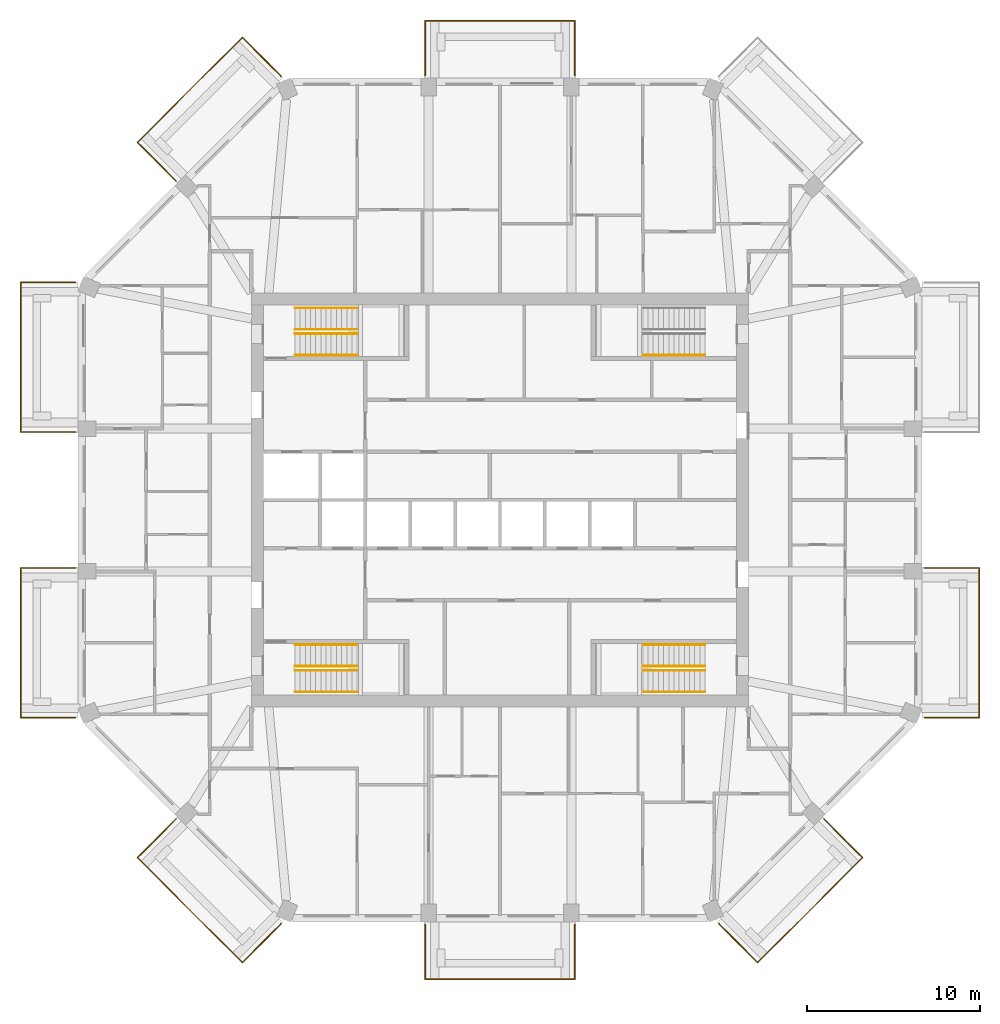
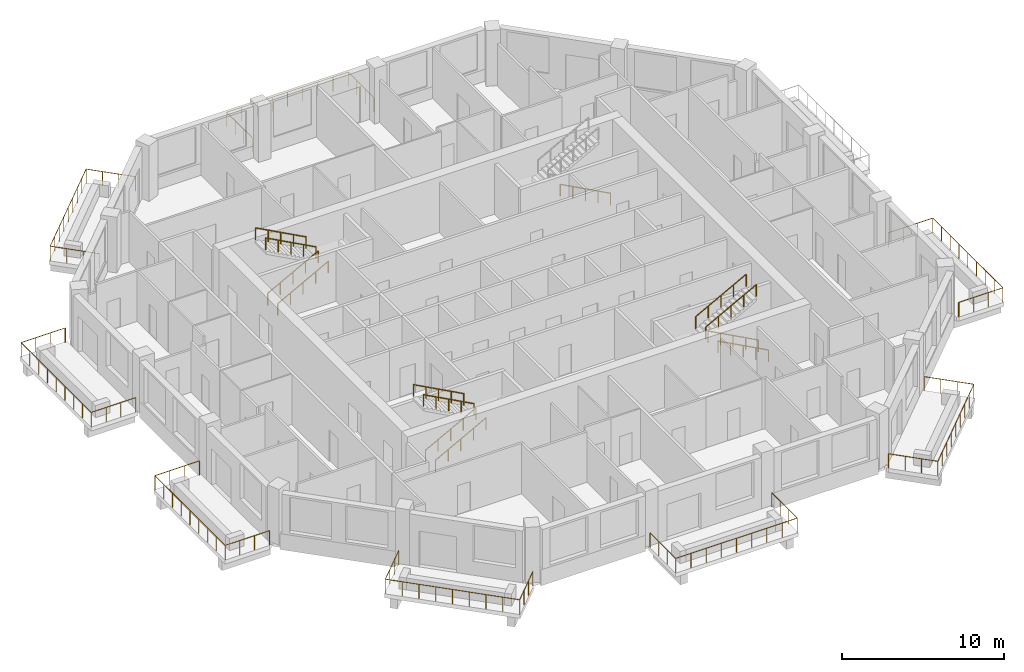
# One storey, part 11 of 12: 21 railings.
"""IFC4 building model written with IfcOpenShell, lengths in metres."""

from ifc_helpers import new_model, si_unit, direction, frame, origin, origin_2d, place, context, subcontext, project, spatial, circle, extrude, material, constituent, constituent_set, type_object, element, save


model = new_model("IFC4")

# Units and contexts
model_context = context("Model", 3, precision=1e-05, world=origin(), true_north=direction((0.0, 1.0)))
body_context = subcontext(model_context, "Body", "Model", "MODEL_VIEW")
ifc_project = project(units=[si_unit("LENGTHUNIT", "METRE"), si_unit("AREAUNIT", "SQUARE_METRE"), si_unit("VOLUMEUNIT", "CUBIC_METRE"), si_unit("PLANEANGLEUNIT", "RADIAN"), si_unit("MASSUNIT", "GRAM", prefix="KILO")], contexts=[model_context])

# Site, building, storey
site_placement = place(None, origin())
site = spatial("IfcSite", under=ifc_project, at=site_placement, CompositionType="ELEMENT")
building_placement = place(site_placement, origin())
building = spatial("IfcBuilding", under=site, at=building_placement, Name="Msitu Wima Residences", CompositionType="ELEMENT")
storey_placement = place(building_placement, frame((0.0, 0.0, 200.10009765625)))
storey = spatial("IfcBuildingStorey", under=building, at=storey_placement, Name="L46", CompositionType="ELEMENT", Elevation=200.10009765625)

# Railings
ifc_material_1 = material(Name="Steel S355", Category="steel")
ifc_constituent_1 = constituent(ifc_material_1, Name="Steel S355")
ifc_material_2 = material(Name="Weathering patina")
ifc_constituent_2 = constituent(ifc_material_2, Name="Weathering patina")
ifc_constituent_set_1 = constituent_set(constituents=[ifc_constituent_1, ifc_constituent_2], Name="Steel S355")
railing_type_1 = type_object("IfcRailingType", Name="Balcony guard GR1100", PredefinedType="GUARDRAIL", material=ifc_constituent_set_1)
railing_1_placement = place(storey_placement, frame((24.580078125, -3.937255859375, 0.0)))
element("IfcRailing", 1, at=railing_1_placement, inside=storey, type_object=railing_type_1, Name="Balcony guard E0 L46", PredefinedType="GUARDRAIL", context=body_context, shape_type="SweptSolid", body=[
    extrude(circle(Radius=0.02392578125, at=origin_2d()), frame((0.0, 0.0, 1.076171875), z_axis=(1.0, 0.0, 0.0), x_axis=(0.0, 1.0, 0.0)), (0.0, 0.0, 1.0), 3.169921875),
    extrude(circle(Radius=0.02392578125, at=origin_2d()), frame((3.169921875, 0.0, 1.076171875), z_axis=(0.0, -1.0, 0.0), x_axis=(1.0, 0.0, 0.0)), (0.0, 0.0, 1.0), 8.674560546875),
    extrude(circle(Radius=0.02392578125, at=origin_2d()), frame((3.169921875, -8.674560546875, 1.076171875), z_axis=(-1.0, 0.0, 0.0), x_axis=(0.0, -1.0, 0.0)), (0.0, 0.0, 1.0), 3.136474609375),
    extrude(circle(Radius=0.02392578125, at=origin_2d()), frame((0.033447265625, -8.674560546875, 1.076171875), z_axis=(-0.923276184907, 0.384136806859, 0.0), x_axis=(-0.384136806859, -0.923276184907, 0.0)), (0.0, 0.0, 1.0), 0.0361328125),
    extrude(circle(Radius=0.02099609375, at=origin_2d()), origin(), (0.0, 0.0, 1.0), 1.052001953125),
    extrude(circle(Radius=0.02099609375, at=origin_2d()), frame((1.056640625, 0.0, 0.0)), (0.0, 0.0, 1.0), 1.052001953125),
    extrude(circle(Radius=0.02099609375, at=origin_2d()), frame((2.11328125, 0.0, 0.0)), (0.0, 0.0, 1.0), 1.052001953125),
    extrude(circle(Radius=0.02099609375, at=origin_2d()), frame((3.169921875, 0.0, 0.0)), (0.0, 0.0, 1.0), 1.052001953125),
    extrude(circle(Radius=0.02099609375, at=origin_2d()), frame((3.169921875, -1.084228515625, 0.0)), (0.0, 0.0, 1.0), 1.052001953125),
    extrude(circle(Radius=0.02099609375, at=origin_2d()), frame((3.169921875, -2.168701171875, 0.0)), (0.0, 0.0, 1.0), 1.052001953125),
    extrude(circle(Radius=0.02099609375, at=origin_2d()), frame((3.169921875, -3.2529296875, 0.0)), (0.0, 0.0, 1.0), 1.052001953125),
    extrude(circle(Radius=0.02099609375, at=origin_2d()), frame((3.169921875, -4.33740234375, 0.0)), (0.0, 0.0, 1.0), 1.052001953125),
    extrude(circle(Radius=0.02099609375, at=origin_2d()), frame((3.169921875, -5.421630859375, 0.0)), (0.0, 0.0, 1.0), 1.052001953125),
    extrude(circle(Radius=0.02099609375, at=origin_2d()), frame((3.169921875, -6.505859375, 0.0)), (0.0, 0.0, 1.0), 1.052001953125),
    extrude(circle(Radius=0.02099609375, at=origin_2d()), frame((3.169921875, -7.59033203125, 0.0)), (0.0, 0.0, 1.0), 1.052001953125),
    extrude(circle(Radius=0.02099609375, at=origin_2d()), frame((3.169921875, -8.674560546875, 0.0)), (0.0, 0.0, 1.0), 1.052001953125),
    extrude(circle(Radius=0.02099609375, at=origin_2d()), frame((2.12451171875, -8.674560546875, 0.0)), (0.0, 0.0, 1.0), 1.052001953125),
    extrude(circle(Radius=0.02099609375, at=origin_2d()), frame((1.078857421875, -8.674560546875, 0.0)), (0.0, 0.0, 1.0), 1.052001953125),
    extrude(circle(Radius=0.02099609375, at=origin_2d()), frame((0.033447265625, -8.674560546875, 0.0)), (0.0, 0.0, 1.0), 1.052001953125),
    extrude(circle(Radius=0.02099609375, at=origin_2d()), frame((0.0, -8.66064453125, 0.0)), (0.0, 0.0, 1.0), 1.052001953125),
])
railing_2_placement = place(storey_placement, frame((-4.337158203125, 24.580078125, 0.0)))
element("IfcRailing", 2, at=railing_2_placement, inside=storey, type_object=railing_type_1, Name="Balcony guard N1 L46", PredefinedType="GUARDRAIL", context=body_context, shape_type="SweptSolid", body=[
    extrude(circle(Radius=0.02392578125, at=origin_2d()), frame((0.0, 0.0, 1.076171875), z_axis=(0.0, 1.0, 0.0), x_axis=(-1.0, 0.0, 0.0)), (0.0, 0.0, 1.0), 3.169921875),
    extrude(circle(Radius=0.02392578125, at=origin_2d()), frame((0.0, 3.169921875, 1.076171875), z_axis=(1.0, 0.0, 0.0), x_axis=(0.0, 1.0, 0.0)), (0.0, 0.0, 1.0), 8.67431640625),
    extrude(circle(Radius=0.02392578125, at=origin_2d()), frame((8.67431640625, 3.169921875, 1.076171875), z_axis=(0.0, -1.0, 0.0), x_axis=(1.0, 0.0, 0.0)), (0.0, 0.0, 1.0), 3.169921875),
    extrude(circle(Radius=0.02099609375, at=origin_2d()), origin(), (0.0, 0.0, 1.0), 1.052001953125),
    extrude(circle(Radius=0.02099609375, at=origin_2d()), frame((0.0, 1.056640625, 0.0)), (0.0, 0.0, 1.0), 1.052001953125),
    extrude(circle(Radius=0.02099609375, at=origin_2d()), frame((0.0, 2.11328125, 0.0)), (0.0, 0.0, 1.0), 1.052001953125),
    extrude(circle(Radius=0.02099609375, at=origin_2d()), frame((0.0, 3.169921875, 0.0)), (0.0, 0.0, 1.0), 1.052001953125),
    extrude(circle(Radius=0.02099609375, at=origin_2d()), frame((1.084228515625, 3.169921875, 0.0)), (0.0, 0.0, 1.0), 1.052001953125),
    extrude(circle(Radius=0.02099609375, at=origin_2d()), frame((2.16845703125, 3.169921875, 0.0)), (0.0, 0.0, 1.0), 1.052001953125),
    extrude(circle(Radius=0.02099609375, at=origin_2d()), frame((3.2529296875, 3.169921875, 0.0)), (0.0, 0.0, 1.0), 1.052001953125),
    extrude(circle(Radius=0.02099609375, at=origin_2d()), frame((4.337158203125, 3.169921875, 0.0)), (0.0, 0.0, 1.0), 1.052001953125),
    extrude(circle(Radius=0.02099609375, at=origin_2d()), frame((5.42138671875, 3.169921875, 0.0)), (0.0, 0.0, 1.0), 1.052001953125),
    extrude(circle(Radius=0.02099609375, at=origin_2d()), frame((6.505859375, 3.169921875, 0.0)), (0.0, 0.0, 1.0), 1.052001953125),
    extrude(circle(Radius=0.02099609375, at=origin_2d()), frame((7.590087890625, 3.169921875, 0.0)), (0.0, 0.0, 1.0), 1.052001953125),
    extrude(circle(Radius=0.02099609375, at=origin_2d()), frame((8.67431640625, 3.169921875, 0.0)), (0.0, 0.0, 1.0), 1.052001953125),
    extrude(circle(Radius=0.02099609375, at=origin_2d()), frame((8.67431640625, 2.11328125, 0.0)), (0.0, 0.0, 1.0), 1.052001953125),
    extrude(circle(Radius=0.02099609375, at=origin_2d()), frame((8.67431640625, 1.056640625, 0.0)), (0.0, 0.0, 1.0), 1.052001953125),
    extrude(circle(Radius=0.02099609375, at=origin_2d()), frame((8.67431640625, 0.0, 0.0)), (0.0, 0.0, 1.0), 1.052001953125),
])
railing_3_placement = place(storey_placement, frame((-18.75732421875, 18.474609375, 0.0)))
element("IfcRailing", 3, at=railing_3_placement, inside=storey, type_object=railing_type_1, Name="Balcony guard NW0 L46", PredefinedType="GUARDRAIL", context=body_context, shape_type="SweptSolid", body=[
    extrude(circle(Radius=0.02392578125, at=origin_2d()), frame((0.0, 0.0, 1.076171875), z_axis=(-0.707145287287, 0.707068272989, 0.0), x_axis=(-0.707068272989, -0.707145287287, 0.0)), (0.0, 0.0, 1.0), 3.170166015625),
    extrude(circle(Radius=0.02392578125, at=origin_2d()), frame((-2.24169921875, 2.241455078125, 1.076171875), z_axis=(0.707106781187, 0.707106781187, 0.0), x_axis=(-0.707106781187, 0.707106781187, 0.0)), (0.0, 0.0, 1.0), 8.593994140625),
    extrude(circle(Radius=0.02392578125, at=origin_2d()), frame((3.835205078125, 8.318359375, 1.076171875), z_axis=(0.707145698426, -0.707067861805, 0.0), x_axis=(0.707067861805, 0.707145698426, 0.0)), (0.0, 0.0, 1.0), 3.136474609375),
    extrude(circle(Radius=0.02392578125, at=origin_2d()), frame((6.05322265625, 6.1005859375, 1.076171875), z_axis=(0.384136806859, -0.923276184907, 0.0), x_axis=(0.923276184907, 0.384136806859, 0.0)), (0.0, 0.0, 1.0), 0.0361328125),
    extrude(circle(Radius=0.02099609375, at=origin_2d()), origin(), (0.0, 0.0, 1.0), 1.052001953125),
    extrude(circle(Radius=0.02099609375, at=origin_2d()), frame((-0.747314453125, 0.7470703125, 0.0)), (0.0, 0.0, 1.0), 1.052001953125),
    extrude(circle(Radius=0.02099609375, at=origin_2d()), frame((-1.494384765625, 1.494384765625, 0.0)), (0.0, 0.0, 1.0), 1.052001953125),
    extrude(circle(Radius=0.02099609375, at=origin_2d()), frame((-2.24169921875, 2.241455078125, 0.0)), (0.0, 0.0, 1.0), 1.052001953125),
    extrude(circle(Radius=0.02099609375, at=origin_2d()), frame((-1.482177734375, 3.0009765625, 0.0)), (0.0, 0.0, 1.0), 1.052001953125),
    extrude(circle(Radius=0.02099609375, at=origin_2d()), frame((-0.722412109375, 3.7607421875, 0.0)), (0.0, 0.0, 1.0), 1.052001953125),
    extrude(circle(Radius=0.02099609375, at=origin_2d()), frame((0.037109375, 4.520263671875, 0.0)), (0.0, 0.0, 1.0), 1.052001953125),
    extrude(circle(Radius=0.02099609375, at=origin_2d()), frame((0.796875, 5.27978515625, 0.0)), (0.0, 0.0, 1.0), 1.052001953125),
    extrude(circle(Radius=0.02099609375, at=origin_2d()), frame((1.556396484375, 6.03955078125, 0.0)), (0.0, 0.0, 1.0), 1.052001953125),
    extrude(circle(Radius=0.02099609375, at=origin_2d()), frame((2.31591796875, 6.799072265625, 0.0)), (0.0, 0.0, 1.0), 1.052001953125),
    extrude(circle(Radius=0.02099609375, at=origin_2d()), frame((3.07568359375, 7.558837890625, 0.0)), (0.0, 0.0, 1.0), 1.052001953125),
    extrude(circle(Radius=0.02099609375, at=origin_2d()), frame((3.835205078125, 8.318359375, 0.0)), (0.0, 0.0, 1.0), 1.052001953125),
    extrude(circle(Radius=0.02099609375, at=origin_2d()), frame((4.574462890625, 7.5791015625, 0.0)), (0.0, 0.0, 1.0), 1.052001953125),
    extrude(circle(Radius=0.02099609375, at=origin_2d()), frame((5.31396484375, 6.83984375, 0.0)), (0.0, 0.0, 1.0), 1.052001953125),
    extrude(circle(Radius=0.02099609375, at=origin_2d()), frame((6.05322265625, 6.1005859375, 0.0)), (0.0, 0.0, 1.0), 1.052001953125),
    extrude(circle(Radius=0.02099609375, at=origin_2d()), frame((6.067138671875, 6.067138671875, 0.0)), (0.0, 0.0, 1.0), 1.052001953125),
])
railing_4_placement = place(storey_placement, frame((-24.580078125, 3.937255859375, 0.0)))
element("IfcRailing", 4, at=railing_4_placement, inside=storey, type_object=railing_type_1, Name="Balcony guard W0 L46", PredefinedType="GUARDRAIL", context=body_context, shape_type="SweptSolid", body=[
    extrude(circle(Radius=0.02392578125, at=origin_2d()), frame((0.0, 0.0, 1.076171875), z_axis=(-1.0, 0.0, 0.0), x_axis=(0.0, -1.0, 0.0)), (0.0, 0.0, 1.0), 3.169921875),
    extrude(circle(Radius=0.02392578125, at=origin_2d()), frame((-3.169921875, 0.0, 1.076171875), z_axis=(0.0, 1.0, 0.0), x_axis=(-1.0, 0.0, 0.0)), (0.0, 0.0, 1.0), 8.674560546875),
    extrude(circle(Radius=0.02392578125, at=origin_2d()), frame((-3.169921875, 8.674560546875, 1.076171875), z_axis=(1.0, 0.0, 0.0), x_axis=(0.0, 1.0, 0.0)), (0.0, 0.0, 1.0), 3.136474609375),
    extrude(circle(Radius=0.02392578125, at=origin_2d()), frame((-0.033447265625, 8.674560546875, 1.076171875), z_axis=(0.923276184907, -0.384136806859, 0.0), x_axis=(0.384136806859, 0.923276184907, 0.0)), (0.0, 0.0, 1.0), 0.0361328125),
    extrude(circle(Radius=0.02099609375, at=origin_2d()), origin(), (0.0, 0.0, 1.0), 1.052001953125),
    extrude(circle(Radius=0.02099609375, at=origin_2d()), frame((-1.056640625, 0.0, 0.0)), (0.0, 0.0, 1.0), 1.052001953125),
    extrude(circle(Radius=0.02099609375, at=origin_2d()), frame((-2.11328125, 0.0, 0.0)), (0.0, 0.0, 1.0), 1.052001953125),
    extrude(circle(Radius=0.02099609375, at=origin_2d()), frame((-3.169921875, 0.0, 0.0)), (0.0, 0.0, 1.0), 1.052001953125),
    extrude(circle(Radius=0.02099609375, at=origin_2d()), frame((-3.169921875, 1.084228515625, 0.0)), (0.0, 0.0, 1.0), 1.052001953125),
    extrude(circle(Radius=0.02099609375, at=origin_2d()), frame((-3.169921875, 2.168701171875, 0.0)), (0.0, 0.0, 1.0), 1.052001953125),
    extrude(circle(Radius=0.02099609375, at=origin_2d()), frame((-3.169921875, 3.2529296875, 0.0)), (0.0, 0.0, 1.0), 1.052001953125),
    extrude(circle(Radius=0.02099609375, at=origin_2d()), frame((-3.169921875, 4.33740234375, 0.0)), (0.0, 0.0, 1.0), 1.052001953125),
    extrude(circle(Radius=0.02099609375, at=origin_2d()), frame((-3.169921875, 5.421630859375, 0.0)), (0.0, 0.0, 1.0), 1.052001953125),
    extrude(circle(Radius=0.02099609375, at=origin_2d()), frame((-3.169921875, 6.505859375, 0.0)), (0.0, 0.0, 1.0), 1.052001953125),
    extrude(circle(Radius=0.02099609375, at=origin_2d()), frame((-3.169921875, 7.59033203125, 0.0)), (0.0, 0.0, 1.0), 1.052001953125),
    extrude(circle(Radius=0.02099609375, at=origin_2d()), frame((-3.169921875, 8.674560546875, 0.0)), (0.0, 0.0, 1.0), 1.052001953125),
    extrude(circle(Radius=0.02099609375, at=origin_2d()), frame((-2.12451171875, 8.674560546875, 0.0)), (0.0, 0.0, 1.0), 1.052001953125),
    extrude(circle(Radius=0.02099609375, at=origin_2d()), frame((-1.078857421875, 8.674560546875, 0.0)), (0.0, 0.0, 1.0), 1.052001953125),
    extrude(circle(Radius=0.02099609375, at=origin_2d()), frame((-0.033447265625, 8.674560546875, 0.0)), (0.0, 0.0, 1.0), 1.052001953125),
    extrude(circle(Radius=0.02099609375, at=origin_2d()), frame((0.0, 8.66064453125, 0.0)), (0.0, 0.0, 1.0), 1.052001953125),
])
railing_5_placement = place(storey_placement, frame((-24.580078125, -12.597900390625, 0.0)))
element("IfcRailing", 5, at=railing_5_placement, inside=storey, type_object=railing_type_1, Name="Balcony guard W2 L46", PredefinedType="GUARDRAIL", context=body_context, shape_type="SweptSolid", body=[
    extrude(circle(Radius=0.02392578125, at=origin_2d()), frame((0.0, 0.0, 1.076171875), z_axis=(-0.923276184907, -0.384136806859, 0.0), x_axis=(0.384136806859, -0.923276184907, 0.0)), (0.0, 0.0, 1.0), 0.0361328125),
    extrude(circle(Radius=0.02392578125, at=origin_2d()), frame((-0.033447265625, -0.013916015625, 1.076171875), z_axis=(-1.0, 0.0, 0.0), x_axis=(0.0, -1.0, 0.0)), (0.0, 0.0, 1.0), 3.136474609375),
    extrude(circle(Radius=0.02392578125, at=origin_2d()), frame((-3.169921875, -0.013916015625, 1.076171875), z_axis=(0.0, 1.0, 0.0), x_axis=(-1.0, 0.0, 0.0)), (0.0, 0.0, 1.0), 8.674560546875),
    extrude(circle(Radius=0.02392578125, at=origin_2d()), frame((-3.169921875, 8.66064453125, 1.076171875), z_axis=(1.0, 0.0, 0.0), x_axis=(0.0, 1.0, 0.0)), (0.0, 0.0, 1.0), 3.169921875),
    extrude(circle(Radius=0.02099609375, at=origin_2d()), origin(), (0.0, 0.0, 1.0), 1.052001953125),
    extrude(circle(Radius=0.02099609375, at=origin_2d()), frame((-0.033447265625, -0.013916015625, 0.0)), (0.0, 0.0, 1.0), 1.052001953125),
    extrude(circle(Radius=0.02099609375, at=origin_2d()), frame((-1.078857421875, -0.013916015625, 0.0)), (0.0, 0.0, 1.0), 1.052001953125),
    extrude(circle(Radius=0.02099609375, at=origin_2d()), frame((-2.12451171875, -0.013916015625, 0.0)), (0.0, 0.0, 1.0), 1.052001953125),
    extrude(circle(Radius=0.02099609375, at=origin_2d()), frame((-3.169921875, -0.013916015625, 0.0)), (0.0, 0.0, 1.0), 1.052001953125),
    extrude(circle(Radius=0.02099609375, at=origin_2d()), frame((-3.169921875, 1.0703125, 0.0)), (0.0, 0.0, 1.0), 1.052001953125),
    extrude(circle(Radius=0.02099609375, at=origin_2d()), frame((-3.169921875, 2.15478515625, 0.0)), (0.0, 0.0, 1.0), 1.052001953125),
    extrude(circle(Radius=0.02099609375, at=origin_2d()), frame((-3.169921875, 3.239013671875, 0.0)), (0.0, 0.0, 1.0), 1.052001953125),
    extrude(circle(Radius=0.02099609375, at=origin_2d()), frame((-3.169921875, 4.3232421875, 0.0)), (0.0, 0.0, 1.0), 1.052001953125),
    extrude(circle(Radius=0.02099609375, at=origin_2d()), frame((-3.169921875, 5.40771484375, 0.0)), (0.0, 0.0, 1.0), 1.052001953125),
    extrude(circle(Radius=0.02099609375, at=origin_2d()), frame((-3.169921875, 6.491943359375, 0.0)), (0.0, 0.0, 1.0), 1.052001953125),
    extrude(circle(Radius=0.02099609375, at=origin_2d()), frame((-3.169921875, 7.576416015625, 0.0)), (0.0, 0.0, 1.0), 1.052001953125),
    extrude(circle(Radius=0.02099609375, at=origin_2d()), frame((-3.169921875, 8.66064453125, 0.0)), (0.0, 0.0, 1.0), 1.052001953125),
    extrude(circle(Radius=0.02099609375, at=origin_2d()), frame((-2.11328125, 8.66064453125, 0.0)), (0.0, 0.0, 1.0), 1.052001953125),
    extrude(circle(Radius=0.02099609375, at=origin_2d()), frame((-1.056640625, 8.66064453125, 0.0)), (0.0, 0.0, 1.0), 1.052001953125),
    extrude(circle(Radius=0.02099609375, at=origin_2d()), frame((0.0, 8.66064453125, 0.0)), (0.0, 0.0, 1.0), 1.052001953125),
])
railing_6_placement = place(storey_placement, frame((-12.690185546875, -24.541748046875, 0.0)))
element("IfcRailing", 6, at=railing_6_placement, inside=storey, type_object=railing_type_1, Name="Balcony guard SW1 L46", PredefinedType="GUARDRAIL", context=body_context, shape_type="SweptSolid", body=[
    extrude(circle(Radius=0.02392578125, at=origin_2d()), frame((0.0, 0.0, 1.076171875), z_axis=(-0.384136806859, -0.923276184907, 0.0), x_axis=(0.923276184907, -0.384136806859, 0.0)), (0.0, 0.0, 1.0), 0.0361328125),
    extrude(circle(Radius=0.02392578125, at=origin_2d()), frame((-0.013916015625, -0.033447265625, 1.076171875), z_axis=(-0.707145698426, -0.707067861805, 0.0), x_axis=(0.707067861805, -0.707145698426, 0.0)), (0.0, 0.0, 1.0), 3.136474609375),
    extrude(circle(Radius=0.02392578125, at=origin_2d()), frame((-2.23193359375, -2.251220703125, 1.076171875), z_axis=(-0.707106781187, 0.707106781187, 0.0), x_axis=(-0.707106781187, -0.707106781187, 0.0)), (0.0, 0.0, 1.0), 8.593994140625),
    extrude(circle(Radius=0.02392578125, at=origin_2d()), frame((-8.308837890625, 3.82568359375, 1.076171875), z_axis=(0.707145287287, 0.707068272989, 0.0), x_axis=(-0.707068272989, 0.707145287287, 0.0)), (0.0, 0.0, 1.0), 3.170166015625),
    extrude(circle(Radius=0.02099609375, at=origin_2d()), origin(), (0.0, 0.0, 1.0), 1.052001953125),
    extrude(circle(Radius=0.02099609375, at=origin_2d()), frame((-0.013916015625, -0.033447265625, 0.0)), (0.0, 0.0, 1.0), 1.052001953125),
    extrude(circle(Radius=0.02099609375, at=origin_2d()), frame((-0.753173828125, -0.772705078125, 0.0)), (0.0, 0.0, 1.0), 1.052001953125),
    extrude(circle(Radius=0.02099609375, at=origin_2d()), frame((-1.49267578125, -1.511962890625, 0.0)), (0.0, 0.0, 1.0), 1.052001953125),
    extrude(circle(Radius=0.02099609375, at=origin_2d()), frame((-2.23193359375, -2.251220703125, 0.0)), (0.0, 0.0, 1.0), 1.052001953125),
    extrude(circle(Radius=0.02099609375, at=origin_2d()), frame((-2.991455078125, -1.49169921875, 0.0)), (0.0, 0.0, 1.0), 1.052001953125),
    extrude(circle(Radius=0.02099609375, at=origin_2d()), frame((-3.751220703125, -0.73193359375, 0.0)), (0.0, 0.0, 1.0), 1.052001953125),
    extrude(circle(Radius=0.02099609375, at=origin_2d()), frame((-4.5107421875, 0.027587890625, 0.0)), (0.0, 0.0, 1.0), 1.052001953125),
    extrude(circle(Radius=0.02099609375, at=origin_2d()), frame((-5.2705078125, 0.787109375, 0.0)), (0.0, 0.0, 1.0), 1.052001953125),
    extrude(circle(Radius=0.02099609375, at=origin_2d()), frame((-6.030029296875, 1.546875, 0.0)), (0.0, 0.0, 1.0), 1.052001953125),
    extrude(circle(Radius=0.02099609375, at=origin_2d()), frame((-6.78955078125, 2.306396484375, 0.0)), (0.0, 0.0, 1.0), 1.052001953125),
    extrude(circle(Radius=0.02099609375, at=origin_2d()), frame((-7.54931640625, 3.066162109375, 0.0)), (0.0, 0.0, 1.0), 1.052001953125),
    extrude(circle(Radius=0.02099609375, at=origin_2d()), frame((-8.308837890625, 3.82568359375, 0.0)), (0.0, 0.0, 1.0), 1.052001953125),
    extrude(circle(Radius=0.02099609375, at=origin_2d()), frame((-7.5615234375, 4.57275390625, 0.0)), (0.0, 0.0, 1.0), 1.052001953125),
    extrude(circle(Radius=0.02099609375, at=origin_2d()), frame((-6.814453125, 5.320068359375, 0.0)), (0.0, 0.0, 1.0), 1.052001953125),
    extrude(circle(Radius=0.02099609375, at=origin_2d()), frame((-6.067138671875, 6.067138671875, 0.0)), (0.0, 0.0, 1.0), 1.052001953125),
])
railing_7_placement = place(storey_placement, frame((4.337158203125, -24.580078125, 0.0)))
element("IfcRailing", 7, at=railing_7_placement, inside=storey, type_object=railing_type_1, Name="Balcony guard S1 L46", PredefinedType="GUARDRAIL", context=body_context, shape_type="SweptSolid", body=[
    extrude(circle(Radius=0.02392578125, at=origin_2d()), frame((0.0, 0.0, 1.076171875), z_axis=(0.0, -1.0, 0.0), x_axis=(1.0, 0.0, 0.0)), (0.0, 0.0, 1.0), 3.169921875),
    extrude(circle(Radius=0.02392578125, at=origin_2d()), frame((0.0, -3.169921875, 1.076171875), z_axis=(-1.0, 0.0, 0.0), x_axis=(0.0, -1.0, 0.0)), (0.0, 0.0, 1.0), 8.67431640625),
    extrude(circle(Radius=0.02392578125, at=origin_2d()), frame((-8.67431640625, -3.169921875, 1.076171875), z_axis=(0.0, 1.0, 0.0), x_axis=(-1.0, 0.0, 0.0)), (0.0, 0.0, 1.0), 3.169921875),
    extrude(circle(Radius=0.02099609375, at=origin_2d()), origin(), (0.0, 0.0, 1.0), 1.052001953125),
    extrude(circle(Radius=0.02099609375, at=origin_2d()), frame((0.0, -1.056640625, 0.0)), (0.0, 0.0, 1.0), 1.052001953125),
    extrude(circle(Radius=0.02099609375, at=origin_2d()), frame((0.0, -2.11328125, 0.0)), (0.0, 0.0, 1.0), 1.052001953125),
    extrude(circle(Radius=0.02099609375, at=origin_2d()), frame((0.0, -3.169921875, 0.0)), (0.0, 0.0, 1.0), 1.052001953125),
    extrude(circle(Radius=0.02099609375, at=origin_2d()), frame((-1.084228515625, -3.169921875, 0.0)), (0.0, 0.0, 1.0), 1.052001953125),
    extrude(circle(Radius=0.02099609375, at=origin_2d()), frame((-2.16845703125, -3.169921875, 0.0)), (0.0, 0.0, 1.0), 1.052001953125),
    extrude(circle(Radius=0.02099609375, at=origin_2d()), frame((-3.2529296875, -3.169921875, 0.0)), (0.0, 0.0, 1.0), 1.052001953125),
    extrude(circle(Radius=0.02099609375, at=origin_2d()), frame((-4.337158203125, -3.169921875, 0.0)), (0.0, 0.0, 1.0), 1.052001953125),
    extrude(circle(Radius=0.02099609375, at=origin_2d()), frame((-5.42138671875, -3.169921875, 0.0)), (0.0, 0.0, 1.0), 1.052001953125),
    extrude(circle(Radius=0.02099609375, at=origin_2d()), frame((-6.505859375, -3.169921875, 0.0)), (0.0, 0.0, 1.0), 1.052001953125),
    extrude(circle(Radius=0.02099609375, at=origin_2d()), frame((-7.590087890625, -3.169921875, 0.0)), (0.0, 0.0, 1.0), 1.052001953125),
    extrude(circle(Radius=0.02099609375, at=origin_2d()), frame((-8.67431640625, -3.169921875, 0.0)), (0.0, 0.0, 1.0), 1.052001953125),
    extrude(circle(Radius=0.02099609375, at=origin_2d()), frame((-8.67431640625, -2.11328125, 0.0)), (0.0, 0.0, 1.0), 1.052001953125),
    extrude(circle(Radius=0.02099609375, at=origin_2d()), frame((-8.67431640625, -1.056640625, 0.0)), (0.0, 0.0, 1.0), 1.052001953125),
    extrude(circle(Radius=0.02099609375, at=origin_2d()), frame((-8.67431640625, 0.0, 0.0)), (0.0, 0.0, 1.0), 1.052001953125),
])
railing_8_placement = place(storey_placement, frame((18.75732421875, -18.474609375, 0.0)))
element("IfcRailing", 8, at=railing_8_placement, inside=storey, type_object=railing_type_1, Name="Balcony guard SE0 L46", PredefinedType="GUARDRAIL", context=body_context, shape_type="SweptSolid", body=[
    extrude(circle(Radius=0.02392578125, at=origin_2d()), frame((0.0, 0.0, 1.076171875), z_axis=(0.707145287287, -0.707068272989, 0.0), x_axis=(0.707068272989, 0.707145287287, 0.0)), (0.0, 0.0, 1.0), 3.170166015625),
    extrude(circle(Radius=0.02392578125, at=origin_2d()), frame((2.24169921875, -2.241455078125, 1.076171875), z_axis=(-0.707106781187, -0.707106781187, 0.0), x_axis=(0.707106781187, -0.707106781187, 0.0)), (0.0, 0.0, 1.0), 8.593994140625),
    extrude(circle(Radius=0.02392578125, at=origin_2d()), frame((-3.835205078125, -8.318359375, 1.076171875), z_axis=(-0.707145698426, 0.707067861805, 0.0), x_axis=(-0.707067861805, -0.707145698426, 0.0)), (0.0, 0.0, 1.0), 3.136474609375),
    extrude(circle(Radius=0.02392578125, at=origin_2d()), frame((-6.05322265625, -6.1005859375, 1.076171875), z_axis=(-0.384136806859, 0.923276184907, 0.0), x_axis=(-0.923276184907, -0.384136806859, 0.0)), (0.0, 0.0, 1.0), 0.0361328125),
    extrude(circle(Radius=0.02099609375, at=origin_2d()), origin(), (0.0, 0.0, 1.0), 1.052001953125),
    extrude(circle(Radius=0.02099609375, at=origin_2d()), frame((0.747314453125, -0.7470703125, 0.0)), (0.0, 0.0, 1.0), 1.052001953125),
    extrude(circle(Radius=0.02099609375, at=origin_2d()), frame((1.494384765625, -1.494384765625, 0.0)), (0.0, 0.0, 1.0), 1.052001953125),
    extrude(circle(Radius=0.02099609375, at=origin_2d()), frame((2.24169921875, -2.241455078125, 0.0)), (0.0, 0.0, 1.0), 1.052001953125),
    extrude(circle(Radius=0.02099609375, at=origin_2d()), frame((1.482177734375, -3.0009765625, 0.0)), (0.0, 0.0, 1.0), 1.052001953125),
    extrude(circle(Radius=0.02099609375, at=origin_2d()), frame((0.722412109375, -3.7607421875, 0.0)), (0.0, 0.0, 1.0), 1.052001953125),
    extrude(circle(Radius=0.02099609375, at=origin_2d()), frame((-0.037109375, -4.520263671875, 0.0)), (0.0, 0.0, 1.0), 1.052001953125),
    extrude(circle(Radius=0.02099609375, at=origin_2d()), frame((-0.796875, -5.27978515625, 0.0)), (0.0, 0.0, 1.0), 1.052001953125),
    extrude(circle(Radius=0.02099609375, at=origin_2d()), frame((-1.556396484375, -6.03955078125, 0.0)), (0.0, 0.0, 1.0), 1.052001953125),
    extrude(circle(Radius=0.02099609375, at=origin_2d()), frame((-2.31591796875, -6.799072265625, 0.0)), (0.0, 0.0, 1.0), 1.052001953125),
    extrude(circle(Radius=0.02099609375, at=origin_2d()), frame((-3.07568359375, -7.558837890625, 0.0)), (0.0, 0.0, 1.0), 1.052001953125),
    extrude(circle(Radius=0.02099609375, at=origin_2d()), frame((-3.835205078125, -8.318359375, 0.0)), (0.0, 0.0, 1.0), 1.052001953125),
    extrude(circle(Radius=0.02099609375, at=origin_2d()), frame((-4.574462890625, -7.5791015625, 0.0)), (0.0, 0.0, 1.0), 1.052001953125),
    extrude(circle(Radius=0.02099609375, at=origin_2d()), frame((-5.31396484375, -6.83984375, 0.0)), (0.0, 0.0, 1.0), 1.052001953125),
    extrude(circle(Radius=0.02099609375, at=origin_2d()), frame((-6.05322265625, -6.1005859375, 0.0)), (0.0, 0.0, 1.0), 1.052001953125),
    extrude(circle(Radius=0.02099609375, at=origin_2d()), frame((-6.067138671875, -6.067138671875, 0.0)), (0.0, 0.0, 1.0), 1.052001953125),
])
ifc_constituent_3 = constituent(ifc_material_1, Name="Steel S355")
ifc_material_3 = material(Name="Black powder coating")
ifc_constituent_4 = constituent(ifc_material_3, Name="Black powder coating")
ifc_constituent_set_2 = constituent_set(constituents=[ifc_constituent_3, ifc_constituent_4], Name="Steel S355")
railing_type_2 = type_object("IfcRailingType", Name="Stair handrail HR1", PredefinedType="HANDRAIL", material=ifc_constituent_set_2)
for number, where, name in (
    (9, (-11.875, 8.375, 0.161376953125), "Stair 1 handrail"),
    (10, (-11.875, 9.625, 0.161376953125), "Stair 1 handrail"),
):
    element("IfcRailing", number, at=place(storey_placement, frame(where)), inside=storey, type_object=railing_type_2, Name=name, PredefinedType="HANDRAIL", context=body_context, shape_type="SweptSolid", body=[
        extrude(circle(Radius=0.02392578125, at=origin_2d()), frame((0.0, 0.0, 0.8759765625), z_axis=(0.880474934443, 0.0, 0.474092701714), x_axis=(0.0, 1.0, 0.0)), (0.0, 0.0, 1.0), 4.0888671875),
        extrude(circle(Radius=0.02099609375, at=origin_2d()), origin(), (0.0, 0.0, 1.0), 0.851806640625),
        extrude(circle(Radius=0.02099609375, at=origin_2d()), frame((0.89990234375, 0.0, 0.484619140625)), (0.0, 0.0, 1.0), 0.851806640625),
        extrude(circle(Radius=0.02099609375, at=origin_2d()), frame((1.800048828125, 0.0, 0.96923828125)), (0.0, 0.0, 1.0), 0.851806640625),
        extrude(circle(Radius=0.02099609375, at=origin_2d()), frame((2.7001953125, 0.0, 1.453857421875)), (0.0, 0.0, 1.0), 0.851806640625),
        extrude(circle(Radius=0.02099609375, at=origin_2d()), frame((3.60009765625, 0.0, 1.9384765625)), (0.0, 0.0, 1.0), 0.851806640625),
    ])
for number, where, name in (
    (11, (-8.27490234375, 9.875, 2.261474609375), "Stair 1 handrail"),
    (12, (-8.27490234375, 11.125, 2.261474609375), "Stair 1 handrail"),
):
    element("IfcRailing", number, at=place(storey_placement, frame(where)), inside=storey, type_object=railing_type_2, Name=name, PredefinedType="HANDRAIL", context=body_context, shape_type="SweptSolid", body=[
        extrude(circle(Radius=0.02392578125, at=origin_2d()), frame((0.0, 0.0, 0.8759765625), z_axis=(-0.880474934443, 0.0, 0.474092701714), x_axis=(0.0, -1.0, 0.0)), (0.0, 0.0, 1.0), 4.0888671875),
        extrude(circle(Radius=0.02099609375, at=origin_2d()), origin(), (0.0, 0.0, 1.0), 0.851806640625),
        extrude(circle(Radius=0.02099609375, at=origin_2d()), frame((-0.89990234375, 0.0, 0.484619140625)), (0.0, 0.0, 1.0), 0.851806640625),
        extrude(circle(Radius=0.02099609375, at=origin_2d()), frame((-1.800048828125, 0.0, 0.96923828125)), (0.0, 0.0, 1.0), 0.851806640625),
        extrude(circle(Radius=0.02099609375, at=origin_2d()), frame((-2.7001953125, 0.0, 1.453857421875)), (0.0, 0.0, 1.0), 0.851806640625),
        extrude(circle(Radius=0.02099609375, at=origin_2d()), frame((-3.60009765625, 0.0, 1.9384765625)), (0.0, 0.0, 1.0), 0.851806640625),
    ])
for number, where, name in (
    (13, (-11.875, -11.125, 0.161376953125), "Stair 2 handrail"),
    (14, (-11.875, -9.875, 0.161376953125), "Stair 2 handrail"),
):
    element("IfcRailing", number, at=place(storey_placement, frame(where)), inside=storey, type_object=railing_type_2, Name=name, PredefinedType="HANDRAIL", context=body_context, shape_type="SweptSolid", body=[
        extrude(circle(Radius=0.02392578125, at=origin_2d()), frame((0.0, 0.0, 0.8759765625), z_axis=(0.880474934443, 0.0, 0.474092701714), x_axis=(0.0, 1.0, 0.0)), (0.0, 0.0, 1.0), 4.0888671875),
        extrude(circle(Radius=0.02099609375, at=origin_2d()), origin(), (0.0, 0.0, 1.0), 0.851806640625),
        extrude(circle(Radius=0.02099609375, at=origin_2d()), frame((0.89990234375, 0.0, 0.484619140625)), (0.0, 0.0, 1.0), 0.851806640625),
        extrude(circle(Radius=0.02099609375, at=origin_2d()), frame((1.800048828125, 0.0, 0.96923828125)), (0.0, 0.0, 1.0), 0.851806640625),
        extrude(circle(Radius=0.02099609375, at=origin_2d()), frame((2.7001953125, 0.0, 1.453857421875)), (0.0, 0.0, 1.0), 0.851806640625),
        extrude(circle(Radius=0.02099609375, at=origin_2d()), frame((3.60009765625, 0.0, 1.9384765625)), (0.0, 0.0, 1.0), 0.851806640625),
    ])
for number, where, name in (
    (15, (-8.27490234375, -9.625, 2.261474609375), "Stair 2 handrail"),
    (16, (-8.27490234375, -8.375, 2.261474609375), "Stair 2 handrail"),
    (17, (11.875, 8.375, 0.161376953125), "Stair 3 handrail"),
    (18, (11.875, -11.125, 0.161376953125), "Stair 4 handrail"),
    (19, (11.875, -9.875, 0.161376953125), "Stair 4 handrail"),
):
    element("IfcRailing", number, at=place(storey_placement, frame(where)), inside=storey, type_object=railing_type_2, Name=name, PredefinedType="HANDRAIL", context=body_context, shape_type="SweptSolid", body=[
        extrude(circle(Radius=0.02392578125, at=origin_2d()), frame((0.0, 0.0, 0.8759765625), z_axis=(-0.880474934443, 0.0, 0.474092701714), x_axis=(0.0, -1.0, 0.0)), (0.0, 0.0, 1.0), 4.0888671875),
        extrude(circle(Radius=0.02099609375, at=origin_2d()), origin(), (0.0, 0.0, 1.0), 0.851806640625),
        extrude(circle(Radius=0.02099609375, at=origin_2d()), frame((-0.89990234375, 0.0, 0.484619140625)), (0.0, 0.0, 1.0), 0.851806640625),
        extrude(circle(Radius=0.02099609375, at=origin_2d()), frame((-1.800048828125, 0.0, 0.96923828125)), (0.0, 0.0, 1.0), 0.851806640625),
        extrude(circle(Radius=0.02099609375, at=origin_2d()), frame((-2.7001953125, 0.0, 1.453857421875)), (0.0, 0.0, 1.0), 0.851806640625),
        extrude(circle(Radius=0.02099609375, at=origin_2d()), frame((-3.60009765625, 0.0, 1.9384765625)), (0.0, 0.0, 1.0), 0.851806640625),
    ])
for number, where, name in (
    (20, (8.27490234375, -9.625, 2.261474609375), "Stair 4 handrail"),
    (21, (8.27490234375, -8.375, 2.261474609375), "Stair 4 handrail"),
):
    element("IfcRailing", number, at=place(storey_placement, frame(where)), inside=storey, type_object=railing_type_2, Name=name, PredefinedType="HANDRAIL", context=body_context, shape_type="SweptSolid", body=[
        extrude(circle(Radius=0.02392578125, at=origin_2d()), frame((0.0, 0.0, 0.8759765625), z_axis=(0.880474934443, 0.0, 0.474092701714), x_axis=(0.0, 1.0, 0.0)), (0.0, 0.0, 1.0), 4.0888671875),
        extrude(circle(Radius=0.02099609375, at=origin_2d()), origin(), (0.0, 0.0, 1.0), 0.851806640625),
        extrude(circle(Radius=0.02099609375, at=origin_2d()), frame((0.89990234375, 0.0, 0.484619140625)), (0.0, 0.0, 1.0), 0.851806640625),
        extrude(circle(Radius=0.02099609375, at=origin_2d()), frame((1.800048828125, 0.0, 0.96923828125)), (0.0, 0.0, 1.0), 0.851806640625),
        extrude(circle(Radius=0.02099609375, at=origin_2d()), frame((2.7001953125, 0.0, 1.453857421875)), (0.0, 0.0, 1.0), 0.851806640625),
        extrude(circle(Radius=0.02099609375, at=origin_2d()), frame((3.60009765625, 0.0, 1.9384765625)), (0.0, 0.0, 1.0), 0.851806640625),
    ])

save(model, "model.ifc")
